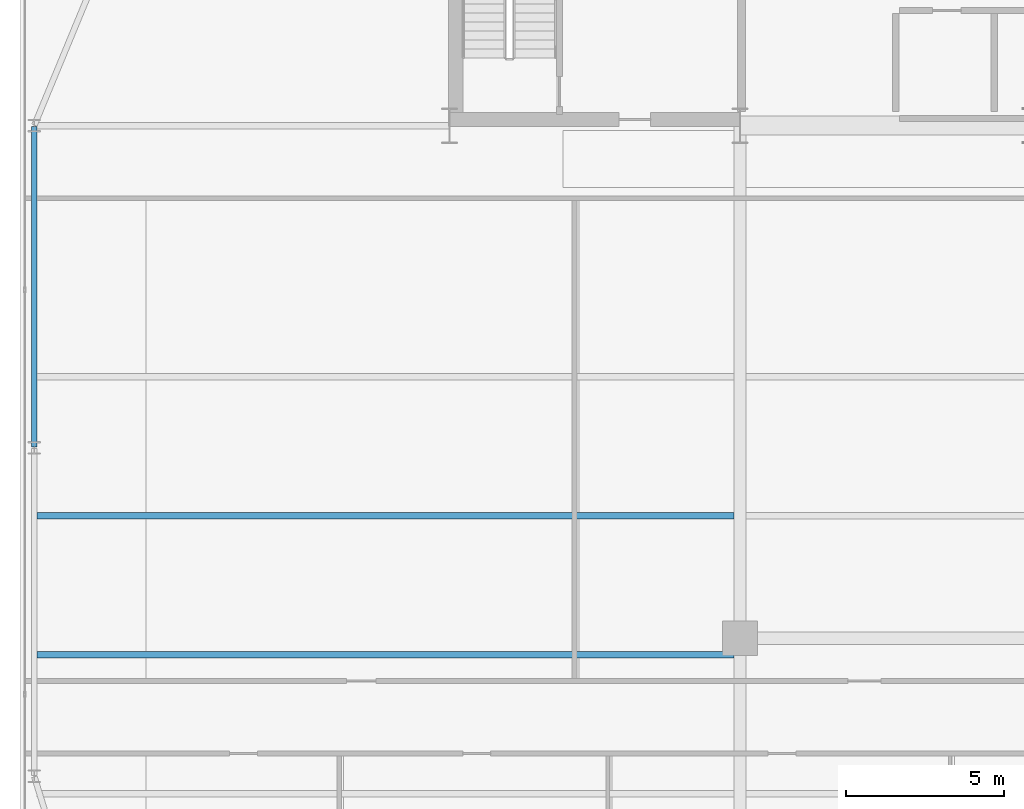
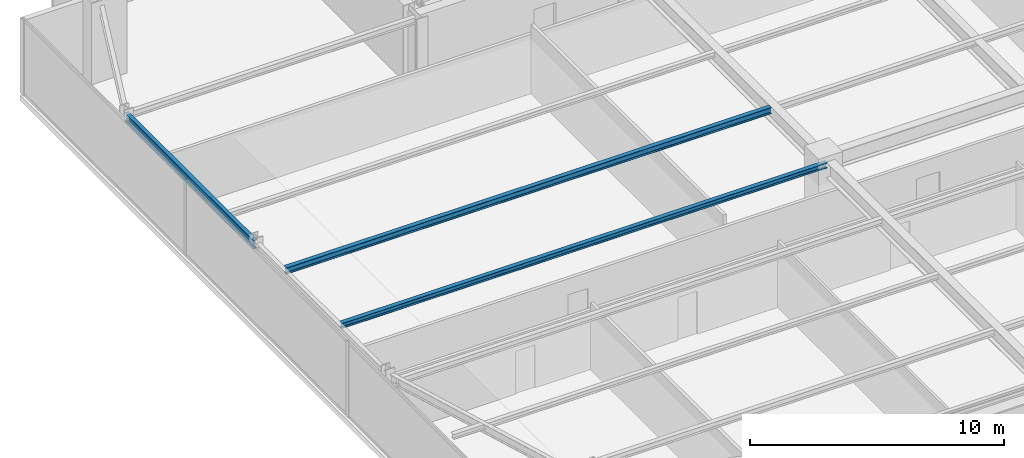
# One storey, part 9 of 30: 3 beams.
"""IFC4 building model written with IfcOpenShell, lengths in metres."""

from ifc_helpers import new_model, si_unit, direction, frame, origin, origin_2d, place, context, subcontext, project, spatial, i_section, extrude, source, transform, mapped, material, material_profile, profile_set, type_object, type_shapes, element, save


model = new_model("IFC4")

# Units and contexts
model_context = context("Model", 3, precision=1e-05, world=origin(), true_north=direction((0.0, 1.0)))
body_context = subcontext(model_context, "Body", "Model", "MODEL_VIEW")
ifc_project = project(units=[si_unit("LENGTHUNIT", "METRE"), si_unit("AREAUNIT", "SQUARE_METRE"), si_unit("VOLUMEUNIT", "CUBIC_METRE"), si_unit("PLANEANGLEUNIT", "RADIAN"), si_unit("MASSUNIT", "GRAM", prefix="KILO")], contexts=[model_context])

# Site, building, storey
site_placement = place(None, origin())
site = spatial("IfcSite", under=ifc_project, at=site_placement, CompositionType="ELEMENT")
building_placement = place(site_placement, origin())
building = spatial("IfcBuilding", under=site, at=building_placement, Name="Varnel Quay Broadcast Tower", CompositionType="ELEMENT")
storey_placement = place(building_placement, frame((0.0, 0.0, 62.699951171875)))
storey = spatial("IfcBuildingStorey", under=building, at=storey_placement, Name="L14", CompositionType="ELEMENT", Elevation=62.699951171875)

# Beams
ifc_material = material(Name="Structural Steel CSA G40.21 350W", Category="steel")
ifc_material_profile_1 = material_profile(ifc_material, i_section(OverallWidth=0.180908203125, OverallDepth=0.4169921875, WebThickness=0.010986328125, FlangeThickness=0.018310546875, FilletRadius=0.011962890625, at=origin_2d()), Name="W410X85")
ifc_profile_set_1 = profile_set([ifc_material_profile_1], Name="Structural Steel CSA G40.21 350W")
beam_type_1 = type_object("IfcBeamType", Name="Beam_W410X85", PredefinedType="SPANDREL", material=ifc_profile_set_1)
shared_shape_1 = source(origin(), body_context, "Body", "SweptSolid", [
    extrude(i_section(OverallWidth=0.180908203125, OverallDepth=0.4169921875, WebThickness=0.010986328125, FlangeThickness=0.018310546875, FilletRadius=0.011962890625, at=origin_2d()), origin(), (0.0, 0.0, 1.0), 10.16015625),
])
type_shapes(beam_type_1, [shared_shape_1])
beam_1_placement = place(storey_placement, frame((2.449951171875, 25.419921875, 3.441650390625), z_axis=(0.0, 1.0, 0.0), x_axis=(-1.0, 0.0, 0.0)))
element("IfcBeam", 1, at=beam_1_placement, inside=storey, type_object=beam_type_1, Name="L14 West Spandrel TC-W2-TC-W3", PredefinedType="SPANDREL", context=body_context, shape_type="MappedRepresentation", body=[
    mapped(shared_shape_1, transform((0.0, 0.0, 0.0), x_axis=(1.0, 0.0, 0.0), y_axis=(0.0, 1.0, 0.0), z_axis=(0.0, 0.0, 1.0), scale=1.0)),
])
ifc_material_profile_2 = material_profile(ifc_material, i_section(OverallWidth=0.202880859375, OverallDepth=0.302978515625, WebThickness=0.007568359375, FlangeThickness=0.01318359375, FilletRadius=0.011962890625, at=origin_2d()), Name="W310X60")
ifc_profile_set_2 = profile_set([ifc_material_profile_2], Name="Structural Steel CSA G40.21 350W")
beam_type_2 = type_object("IfcBeamType", Name="Beam_W310X60", PredefinedType="JOIST", material=ifc_profile_set_2)
shared_shape_2 = source(origin(), body_context, "Body", "SweptSolid", [
    extrude(i_section(OverallWidth=0.202880859375, OverallDepth=0.302978515625, WebThickness=0.007568359375, FlangeThickness=0.01318359375, FilletRadius=0.011962890625, at=origin_2d()), origin(), (0.0, 0.0, 1.0), 22.0791015625),
])
type_shapes(beam_type_2, [shared_shape_2])
beam_2_placement = place(storey_placement, frame((2.535400390625, 23.25, 3.49853515625), z_axis=(1.0, 0.0, 0.0), x_axis=(0.0, 1.0, 0.0)))
element("IfcBeam", 2, at=beam_2_placement, inside=storey, type_object=beam_type_2, Name="L14 West Floor Joist 5", PredefinedType="JOIST", context=body_context, shape_type="MappedRepresentation", body=[
    mapped(shared_shape_2, transform((0.0, 0.0, 0.0), x_axis=(1.0, 0.0, 0.0), y_axis=(0.0, 1.0, 0.0), z_axis=(0.0, 0.0, 1.0), scale=1.0)),
])
ifc_material_profile_3 = material_profile(ifc_material, i_section(OverallWidth=0.201904296875, OverallDepth=0.2470703125, WebThickness=0.00732421875, FlangeThickness=0.010986328125, FilletRadius=0.010986328125, at=origin_2d()), Name="W250X49")
ifc_profile_set_3 = profile_set([ifc_material_profile_3], Name="Structural Steel CSA G40.21 350W")
beam_type_3 = type_object("IfcBeamType", Name="Beam_W250X49", PredefinedType="JOIST", material=ifc_profile_set_3)
shared_shape_3 = source(origin(), body_context, "Body", "SweptSolid", [
    extrude(i_section(OverallWidth=0.201904296875, OverallDepth=0.2470703125, WebThickness=0.00732421875, FlangeThickness=0.010986328125, FilletRadius=0.010986328125, at=origin_2d()), origin(), (0.0, 0.0, 1.0), 22.0791015625),
])
type_shapes(beam_type_3, [shared_shape_3])
beam_3_placement = place(storey_placement, frame((2.535400390625, 18.85009765625, 3.526611328125), z_axis=(1.0, 0.0, 0.0), x_axis=(0.0, 1.0, 0.0)))
element("IfcBeam", 3, at=beam_3_placement, inside=storey, type_object=beam_type_3, Name="L14 West Floor Joist 4", PredefinedType="JOIST", context=body_context, shape_type="MappedRepresentation", body=[
    mapped(shared_shape_3, transform((0.0, 0.0, 0.0), x_axis=(1.0, 0.0, 0.0), y_axis=(0.0, 1.0, 0.0), z_axis=(0.0, 0.0, 1.0), scale=1.0)),
])

save(model, "model.ifc")
